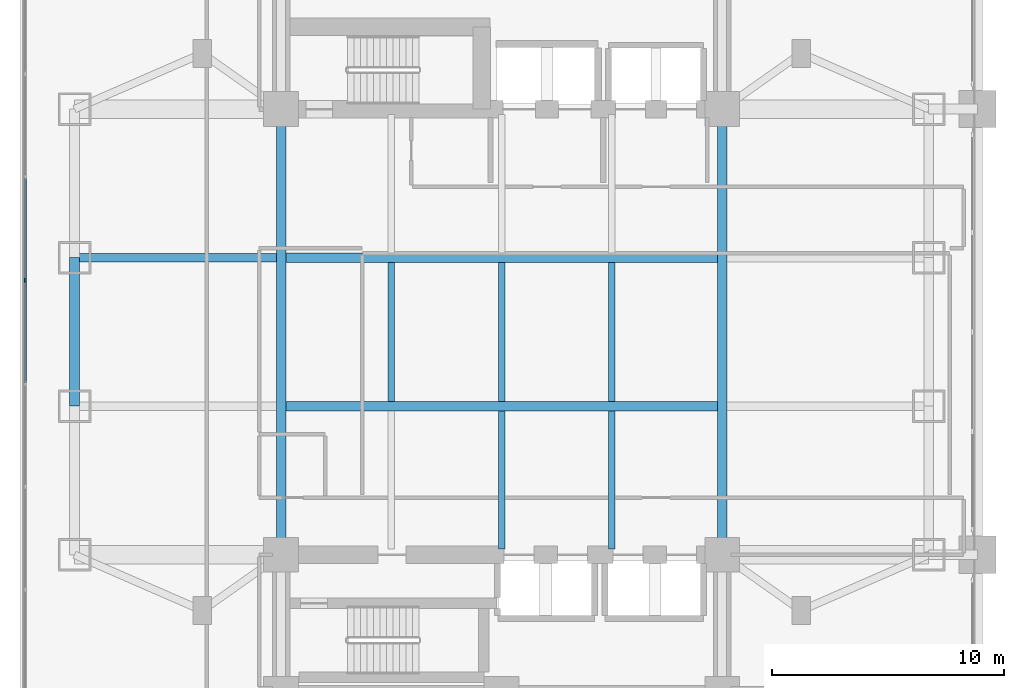
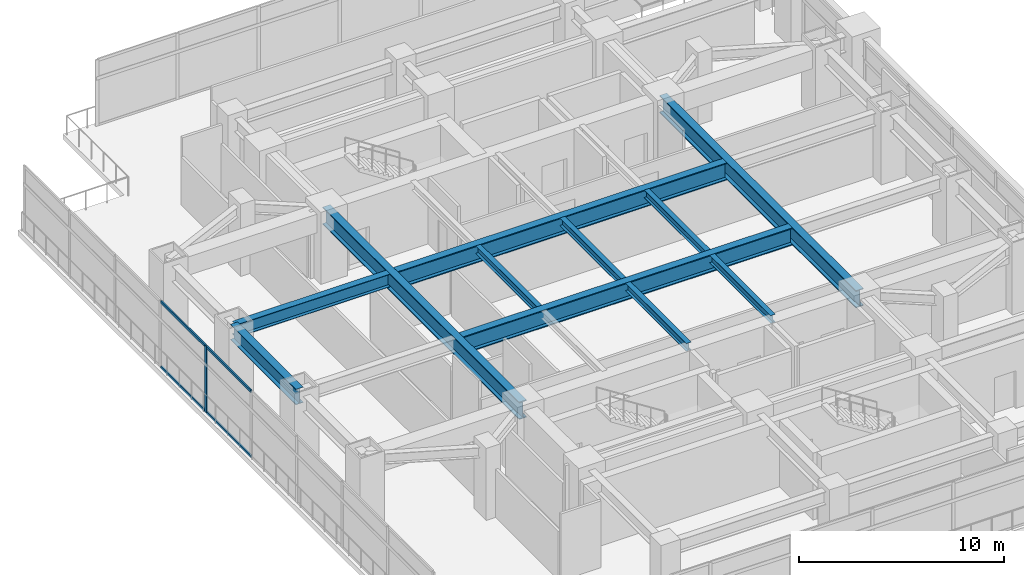
# One storey, part 3 of 31: 11 beams, 5 members, 1 element without a shape of its own.
"""IFC4 building model written with IfcOpenShell, lengths in metres."""

from ifc_helpers import new_model, si_unit, direction, frame, origin, origin_2d, place, context, subcontext, project, spatial, rectangle, i_section, extrude, material, material_profile, profile_set, type_object, element, aggregate, save


model = new_model("IFC4")

# Units and contexts
model_context = context("Model", 3, precision=1e-05, world=origin(), true_north=direction((0.0, 1.0)))
body_context = subcontext(model_context, "Body", "Model", "MODEL_VIEW")
ifc_project = project(units=[si_unit("LENGTHUNIT", "METRE"), si_unit("AREAUNIT", "SQUARE_METRE"), si_unit("VOLUMEUNIT", "CUBIC_METRE"), si_unit("PLANEANGLEUNIT", "RADIAN"), si_unit("MASSUNIT", "GRAM", prefix="KILO")], contexts=[model_context])

# Site, building, storey
site_placement = place(None, origin())
site = spatial("IfcSite", under=ifc_project, at=site_placement, CompositionType="ELEMENT")
building_placement = place(site_placement, origin())
building = spatial("IfcBuilding", under=site, at=building_placement, Name="Mirazonda Arch Towers", CompositionType="ELEMENT")
storey_placement = place(building_placement, frame((0.0, 0.0, 5.199951171875)))
storey = spatial("IfcBuildingStorey", under=building, at=storey_placement, Name="L01", CompositionType="ELEMENT", Elevation=5.199951171875)

# Beams
ifc_material_1 = material(Name="Steel ASTM A992 Grade 50", Category="steel")
ifc_material_profile_1 = material_profile(ifc_material_1, i_section(OverallWidth=0.41796875, OverallDepth=0.927001953125, WebThickness=0.019287109375, FlangeThickness=0.031982421875, at=origin_2d()), Name="W36X231")
ifc_profile_set_1 = profile_set([ifc_material_profile_1], Name="Steel ASTM A992 Grade 50")
beam_type_1 = type_object("IfcBeamType", Name="BM-EXT-W36X231", PredefinedType="USERDEFINED", material=ifc_profile_set_1)
beam_1_placement = place(storey_placement, frame((2.10009765625, 24.800048828125, 3.5166015625), z_axis=(0.0, 1.0, 0.0), x_axis=(-1.0, 0.0, 0.0)))
element("IfcBeam", 1, at=beam_1_placement, inside=storey, type_object=beam_type_1, Name="L01 Floor Beam BM-T1-L01-NS-W-24", ObjectType="GIRDER", PredefinedType="USERDEFINED", context=body_context, shape_type="SweptSolid", body=[
    extrude(i_section(OverallWidth=0.41796875, OverallDepth=0.927001953125, WebThickness=0.019287109375, FlangeThickness=0.031982421875, at=origin_2d()), origin(), (0.0, 0.0, 1.0), 6.39990234375),
])
ifc_material_profile_2 = material_profile(ifc_material_1, i_section(OverallWidth=0.280029296875, OverallDepth=0.462890625, WebThickness=0.0107421875, FlangeThickness=0.017333984375, at=origin_2d()), Name="W18X76")
ifc_profile_set_2 = profile_set([ifc_material_profile_2], Name="Steel ASTM A992 Grade 50")
beam_type_2 = type_object("IfcBeamType", Name="BM-INT-W18X76", PredefinedType="JOIST", material=ifc_profile_set_2)
beam_2_placement = place(storey_placement, frame((15.75, 25.006103515625, 3.74853515625), z_axis=(0.0, 1.0, 0.0), x_axis=(-1.0, 0.0, 0.0)))
element("IfcBeam", 2, at=beam_2_placement, inside=storey, type_object=beam_type_2, Name="L01 Floor Beam BM-T1-L01-J-157-24", PredefinedType="JOIST", context=body_context, shape_type="SweptSolid", body=[
    extrude(i_section(OverallWidth=0.280029296875, OverallDepth=0.462890625, WebThickness=0.0107421875, FlangeThickness=0.017333984375, at=origin_2d()), origin(), (0.0, 0.0, 1.0), 5.98779296875),
])
beam_3_placement = place(storey_placement, frame((20.5, 18.639892578125, 3.74853515625), z_axis=(0.0, 1.0, 0.0), x_axis=(-1.0, 0.0, 0.0)))
element("IfcBeam", 3, at=beam_3_placement, inside=storey, type_object=beam_type_2, Name="L01 Floor Beam BM-T1-L01-J-205-18", PredefinedType="JOIST", context=body_context, shape_type="SweptSolid", body=[
    extrude(i_section(OverallWidth=0.280029296875, OverallDepth=0.462890625, WebThickness=0.0107421875, FlangeThickness=0.017333984375, at=origin_2d()), origin(), (0.0, 0.0, 1.0), 5.9541015625),
])
beam_4_placement = place(storey_placement, frame((20.5, 25.006103515625, 3.74853515625), z_axis=(0.0, 1.0, 0.0), x_axis=(-1.0, 0.0, 0.0)))
element("IfcBeam", 4, at=beam_4_placement, inside=storey, type_object=beam_type_2, Name="L01 Floor Beam BM-T1-L01-J-205-24", PredefinedType="JOIST", context=body_context, shape_type="SweptSolid", body=[
    extrude(i_section(OverallWidth=0.280029296875, OverallDepth=0.462890625, WebThickness=0.0107421875, FlangeThickness=0.017333984375, at=origin_2d()), origin(), (0.0, 0.0, 1.0), 5.98779296875),
])
beam_5_placement = place(storey_placement, frame((25.25, 18.639892578125, 3.74853515625), z_axis=(0.0, 1.0, 0.0), x_axis=(-1.0, 0.0, 0.0)))
element("IfcBeam", 5, at=beam_5_placement, inside=storey, type_object=beam_type_2, Name="L01 Floor Beam BM-T1-L01-J-252-18", PredefinedType="JOIST", context=body_context, shape_type="SweptSolid", body=[
    extrude(i_section(OverallWidth=0.280029296875, OverallDepth=0.462890625, WebThickness=0.0107421875, FlangeThickness=0.017333984375, at=origin_2d()), origin(), (0.0, 0.0, 1.0), 5.9541015625),
])
beam_6_placement = place(storey_placement, frame((25.25, 25.006103515625, 3.74853515625), z_axis=(0.0, 1.0, 0.0), x_axis=(-1.0, 0.0, 0.0)))
element("IfcBeam", 6, at=beam_6_placement, inside=storey, type_object=beam_type_2, Name="L01 Floor Beam BM-T1-L01-J-252-24", PredefinedType="JOIST", context=body_context, shape_type="SweptSolid", body=[
    extrude(i_section(OverallWidth=0.280029296875, OverallDepth=0.462890625, WebThickness=0.0107421875, FlangeThickness=0.017333984375, at=origin_2d()), origin(), (0.0, 0.0, 1.0), 5.98779296875),
])
ifc_material_profile_3 = material_profile(ifc_material_1, i_section(OverallWidth=0.381103515625, OverallDepth=0.77294921875, WebThickness=0.0166015625, FlangeThickness=0.027099609375, at=origin_2d()), Name="W30X173")
ifc_profile_set_3 = profile_set([ifc_material_profile_3], Name="Steel ASTM A992 Grade 50")
beam_type_3 = type_object("IfcBeamType", Name="BM-INT-W30X173", PredefinedType="USERDEFINED", material=ifc_profile_set_3)
beam_7_placement = place(storey_placement, frame((2.10009765625, 31.199951171875, 3.593505859375), z_axis=(1.0, 0.0, 0.0), x_axis=(0.0, 1.0, 0.0)))
element("IfcBeam", 7, at=beam_7_placement, inside=storey, type_object=beam_type_3, Name="L01 Floor Beam BM-T1-L01-GW3", ObjectType="GIRDER", PredefinedType="USERDEFINED", context=body_context, shape_type="SweptSolid", body=[
    extrude(i_section(OverallWidth=0.381103515625, OverallDepth=0.77294921875, WebThickness=0.0166015625, FlangeThickness=0.027099609375, at=origin_2d()), origin(), (0.0, 0.0, 1.0), 8.68994140625),
])
ifc_material_profile_4 = material_profile(ifc_material_1, i_section(OverallWidth=0.419921875, OverallDepth=1.0400390625, WebThickness=0.031005859375, FlangeThickness=0.055908203125, at=origin_2d()), Name="W40X397")
ifc_profile_set_4 = profile_set([ifc_material_profile_4], Name="Steel ASTM A992 Grade 50")
beam_type_4 = type_object("IfcBeamType", Name="BM-INT-W40X397", PredefinedType="USERDEFINED", material=ifc_profile_set_4)
for number, where, z_axis, x_axis, name in (
    (8, (11.2099609375, 24.800048828125, 3.4599609375), (1.0, 0.0, 0.0), (0.0, 1.0, 0.0), "L01 Floor Beam BM-T1-L01-GC2"),
    (9, (11.2099609375, 31.199951171875, 3.4599609375), (1.0, 0.0, 0.0), (0.0, 1.0, 0.0), "L01 Floor Beam BM-T1-L01-GC3"),
):
    element("IfcBeam", number, at=place(storey_placement, frame(where, z_axis=z_axis, x_axis=x_axis)), inside=storey, type_object=beam_type_4, Name=name, ObjectType="GIRDER", PredefinedType="USERDEFINED", context=body_context, shape_type="SweptSolid", body=[
        extrude(i_section(OverallWidth=0.419921875, OverallDepth=1.0400390625, WebThickness=0.031005859375, FlangeThickness=0.055908203125, at=origin_2d()), origin(), (0.0, 0.0, 1.0), 18.580078125),
    ])
for number, where, z_axis, x_axis, name in (
    (10, (11.0, 18.39990234375, 3.4599609375), (0.0, 1.0, 0.0), (-1.0, 0.0, 0.0), "L01 Floor Beam BM-T1-L01-NS-CW-FULL"),
    (11, (30.0, 18.39990234375, 3.4599609375), (0.0, 1.0, 0.0), (-1.0, 0.0, 0.0), "L01 Floor Beam BM-T1-L01-NS-CE-FULL"),
):
    element("IfcBeam", number, at=place(storey_placement, frame(where, z_axis=z_axis, x_axis=x_axis)), inside=storey, type_object=beam_type_4, Name=name, ObjectType="GIRDER", PredefinedType="USERDEFINED", context=body_context, shape_type="SweptSolid", body=[
        extrude(i_section(OverallWidth=0.419921875, OverallDepth=1.0400390625, WebThickness=0.031005859375, FlangeThickness=0.055908203125, at=origin_2d()), origin(), (0.0, 0.0, 1.0), 19.2001953125),
    ])

# Curtain wall, members
ifc_material_2 = material(Name="Anodised Aluminium and Low-E Glass", Category="aluminium")
curtain_wall_type = type_object("IfcCurtainWallType", Name="CW-POD-STORE", PredefinedType="NOTDEFINED", material=ifc_material_2)
curtain_wall_placement = place(storey_placement, origin())
curtain_wall = element("IfcCurtainWall", 12, at=curtain_wall_placement, inside=storey, type_object=curtain_wall_type, Name="L01 Curtain Wall CW-L01-WW", PredefinedType="NOTDEFINED")
ifc_material_3 = material(Name="Anodised Aluminium Alloy", Category="aluminium")
ifc_material_profile_5 = material_profile(ifc_material_3, rectangle(XDim=0.080078125, YDim=0.179931640625, at=origin_2d()), Name="ALU-MULL-80x180")
ifc_profile_set_5 = profile_set([ifc_material_profile_5], Name="Anodised Aluminium Alloy")
member_type_1 = type_object("IfcMemberType", Name="MULL-CW-POD-STORE", PredefinedType="MULLION", material=ifc_profile_set_5)
member_1_placement = place(storey_placement, frame((-0.030029296875, 30.22216796875, 0.0), z_axis=(0.0, 0.0, 1.0), x_axis=(1.0, 0.0, 0.0)))
member_1 = element("IfcMember", 13, at=member_1_placement, type_object=member_type_1, Name="CW-102 mullion 5", PredefinedType="MULLION", context=body_context, shape_type="SweptSolid", body=[
    extrude(rectangle(XDim=0.080078125, YDim=0.179931640625, at=origin_2d()), origin(), (0.0, 0.0, 1.0), 3.9599609375),
])
ifc_material_profile_6 = material_profile(ifc_material_3, rectangle(XDim=0.080078125, YDim=0.159912109375, at=origin_2d()), Name="ALU-TRAN-80x160")
ifc_profile_set_6 = profile_set([ifc_material_profile_6], Name="Anodised Aluminium Alloy")
member_type_2 = type_object("IfcMemberType", Name="TRAN-CW-POD-STORE", PredefinedType="USERDEFINED", material=ifc_profile_set_6)
member_2_placement = place(storey_placement, frame((-0.030029296875, 34.626708984375, 0.0400390625), z_axis=(0.0, -1.0, 0.0), x_axis=(1.0, 0.0, 0.0)))
member_2 = element("IfcMember", 14, at=member_2_placement, type_object=member_type_2, Name="CW-102 transom 4.1", ObjectType="TRANSOM", PredefinedType="USERDEFINED", context=body_context, shape_type="SweptSolid", body=[
    extrude(rectangle(XDim=0.080078125, YDim=0.159912109375, at=origin_2d()), origin(), (0.0, 0.0, 1.0), 4.364501953125),
])
member_3_placement = place(storey_placement, frame((-0.030029296875, 34.626708984375, 3.920166015625), z_axis=(0.0, -1.0, 0.0), x_axis=(1.0, 0.0, 0.0)))
member_3 = element("IfcMember", 15, at=member_3_placement, type_object=member_type_2, Name="CW-102 transom 4.2", ObjectType="TRANSOM", PredefinedType="USERDEFINED", context=body_context, shape_type="SweptSolid", body=[
    extrude(rectangle(XDim=0.080078125, YDim=0.159912109375, at=origin_2d()), origin(), (0.0, 0.0, 1.0), 4.364501953125),
])
member_4_placement = place(storey_placement, frame((-0.030029296875, 30.18212890625, 0.0400390625), z_axis=(0.0, -1.0, 0.0), x_axis=(1.0, 0.0, 0.0)))
member_4 = element("IfcMember", 16, at=member_4_placement, type_object=member_type_2, Name="CW-102 transom 5.1", ObjectType="TRANSOM", PredefinedType="USERDEFINED", context=body_context, shape_type="SweptSolid", body=[
    extrude(rectangle(XDim=0.080078125, YDim=0.159912109375, at=origin_2d()), origin(), (0.0, 0.0, 1.0), 4.3642578125),
])
member_5_placement = place(storey_placement, frame((-0.030029296875, 30.18212890625, 3.920166015625), z_axis=(0.0, -1.0, 0.0), x_axis=(1.0, 0.0, 0.0)))
member_5 = element("IfcMember", 17, at=member_5_placement, type_object=member_type_2, Name="CW-102 transom 5.2", ObjectType="TRANSOM", PredefinedType="USERDEFINED", context=body_context, shape_type="SweptSolid", body=[
    extrude(rectangle(XDim=0.080078125, YDim=0.159912109375, at=origin_2d()), origin(), (0.0, 0.0, 1.0), 4.3642578125),
])
aggregate(curtain_wall, [member_1, member_2, member_3, member_4, member_5])

save(model, "model.ifc")
